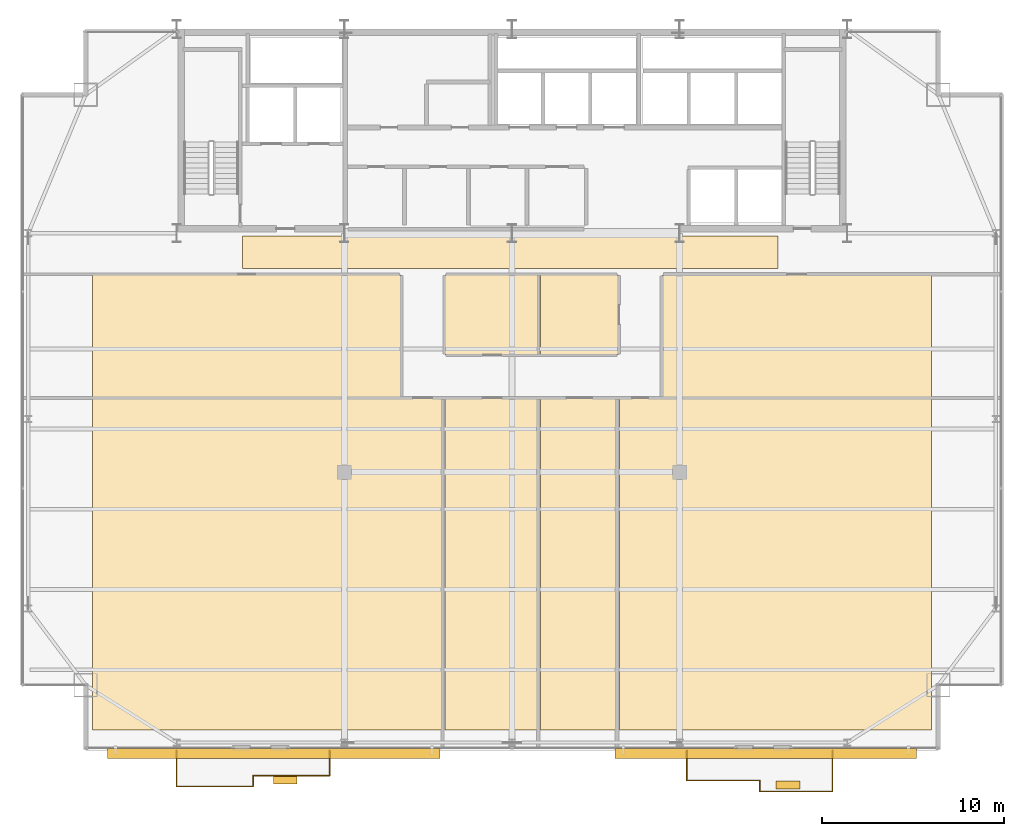
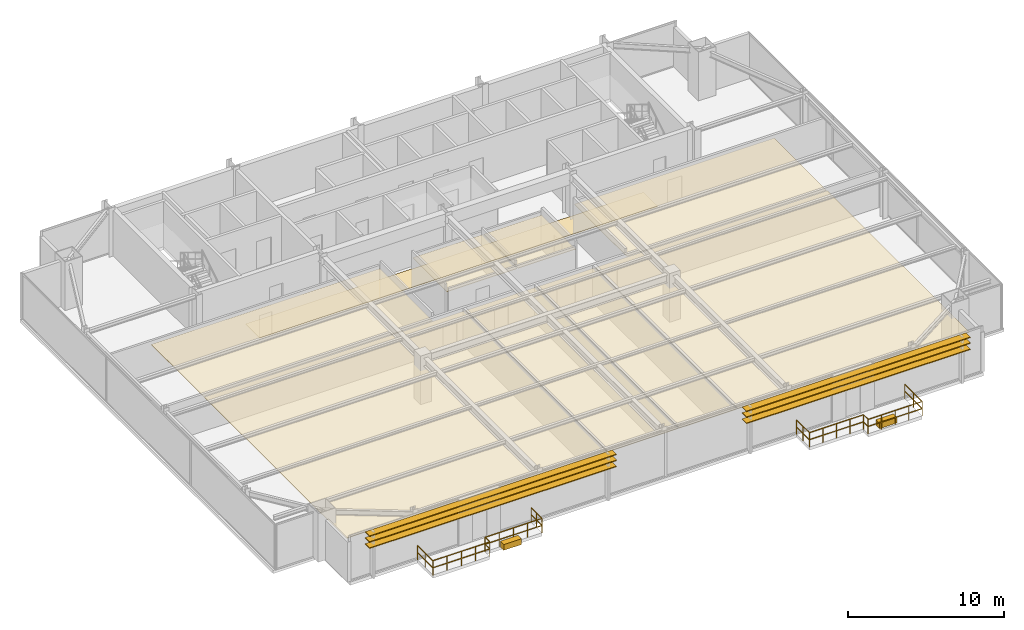
# One storey, part 30 of 31: 11 coverings, 10 railings, 6 shading devices.
"""IFC4 building model written with IfcOpenShell, lengths in metres."""

import ifcopenshell
import ifcopenshell.guid

model = None  # the IFC model being written
_history = None  # IfcOwnerHistory: only IFC2X3 demands one
_inside = {}  # id of a spatial element -> (the spatial element, [elements in it])
_under = {}  # id of a project, library or spatial element -> (it, [spatial elements below it])
_declared = {}  # id of a project -> (the project, [libraries it declares])
_typed = {}  # id of a type object -> (the type object, [elements of that type])
_made_of = {}  # id of a material, layer set ... -> (it, [elements and type objects made of it])


def new_model(schema):
    """Start an empty IFC model of exactly this schema.

    Asked for "IFC4X3", IfcOpenShell would pick the latest addendum, in which some entities
    have other attributes; the version numbers below select the first issue.
    IFC2X3 requires an IfcOwnerHistory on every rooted entity: one is made here for all.
    """
    global model, _history
    if schema == "IFC4X3":
        model = ifcopenshell.file(schema_version=(4, 3, 0, 0))
    else:
        model = ifcopenshell.file(schema=schema)
    _inside.clear()
    _under.clear()
    _declared.clear()
    _typed.clear()
    _made_of.clear()
    _history = None
    if model.schema == "IFC2X3":
        org = make("IfcOrganization", Name="unknown")
        user = make(
            "IfcPersonAndOrganization",
            ThePerson=make("IfcPerson", FamilyName="unknown"),
            TheOrganization=org,
        )
        app = make(
            "IfcApplication",
            ApplicationDeveloper=org,
            Version="unknown",
            ApplicationFullName="unknown",
            ApplicationIdentifier="unknown",
        )
        _history = make(
            "IfcOwnerHistory",
            OwningUser=user,
            OwningApplication=app,
            ChangeAction="ADDED",
            CreationDate=0,
        )
    return model


def make(cls, **values):
    """One entity of the class cls with the attributes given. An attribute that is None is left unset."""
    return model.create_entity(
        cls, **{name: value for name, value in values.items() if value is not None}
    )


def rooted(cls, **values):
    """An entity with a GlobalId (a new one), such as an element, a storey or a relation."""
    return make(cls, GlobalId=ifcopenshell.guid.new(), OwnerHistory=_history, **values)


def si_unit(unit_type, name, prefix=None):
    """IfcSIUnit, for example si_unit("LENGTHUNIT", "METRE", prefix="MILLI")."""
    return make("IfcSIUnit", UnitType=unit_type, Prefix=prefix, Name=name)


def assignment(units):
    """IfcUnitAssignment: the units of a project."""
    return None if units is None else make("IfcUnitAssignment", Units=units)


def point(xyz):
    """IfcCartesianPoint."""
    return None if xyz is None else make("IfcCartesianPoint", Coordinates=xyz)


def direction(xyz):
    """IfcDirection."""
    return None if xyz is None else make("IfcDirection", DirectionRatios=xyz)


def frame(location, z_axis=None, x_axis=None):
    """IfcAxis2Placement3D, a coordinate frame: its origin and axes. An axis left out is left unset."""
    return make(
        "IfcAxis2Placement3D",
        Location=point(location),
        Axis=direction(z_axis),
        RefDirection=direction(x_axis),
    )


def frame_2d(location, x_axis=None):
    """IfcAxis2Placement2D, a coordinate frame in the plane: its origin and x axis."""
    return make(
        "IfcAxis2Placement2D", Location=point(location), RefDirection=direction(x_axis)
    )


def origin():
    """The frame at (0, 0, 0) with its axes left unset."""
    return frame((0.0, 0.0, 0.0))


def origin_2d():
    """The frame at (0, 0) in the plane with its x axis left unset."""
    return frame_2d((0.0, 0.0))


def place(relative_to, where):
    """IfcLocalPlacement: puts the frame where relative to a parent placement (None: the world)."""
    return make(
        "IfcLocalPlacement", PlacementRelTo=relative_to, RelativePlacement=where
    )


def context(
    kind, dimensions, precision=None, world=None, true_north=None, identifier=None
):
    """IfcGeometricRepresentationContext, for example the 3D "Model" context."""
    return make(
        "IfcGeometricRepresentationContext",
        ContextIdentifier=identifier,
        ContextType=kind,
        CoordinateSpaceDimension=dimensions,
        Precision=precision,
        WorldCoordinateSystem=world,
        TrueNorth=true_north,
    )


def subcontext(parent, identifier, kind, view, scale=None):
    """IfcGeometricRepresentationSubContext, for example "Body" below "Model"."""
    return make(
        "IfcGeometricRepresentationSubContext",
        ContextIdentifier=identifier,
        ContextType=kind,
        ParentContext=parent,
        TargetScale=scale,
        TargetView=view,
    )


def project(units=None, contexts=None):
    """IfcProject with its units and contexts."""
    return rooted(
        "IfcProject",
        Name="project",
        RepresentationContexts=contexts,
        UnitsInContext=assignment(units),
    )


def spatial(cls, under=None, at=None, **own):
    """A site, building, storey or space (cls), placed at a placement, below another one or the project."""
    s = rooted(cls, ObjectPlacement=at, **own)
    if under is not None:
        _under.setdefault(under.id(), (under, []))[1].append(s)
    return s


def polyline(points):
    """IfcPolyline through the points."""
    return make("IfcPolyline", Points=[point(p) for p in points])


def profile(cls, at=None, kind="AREA", **sizes):
    """A parametric profile (cls). Its sizes go by their IFC names, for example OverallWidth=200.0."""
    return make(cls, ProfileType=kind, Position=at, **sizes)


def rectangle(**sizes):
    """IfcRectangleProfileDef."""
    return profile("IfcRectangleProfileDef", **sizes)


def outline(outer, holes=None, kind="AREA"):
    """IfcArbitraryClosedProfileDef: a profile drawn as a closed curve; with holes, ...WithVoids."""
    if holes is None:
        return make("IfcArbitraryClosedProfileDef", ProfileType=kind, OuterCurve=outer)
    return make(
        "IfcArbitraryProfileDefWithVoids",
        ProfileType=kind,
        OuterCurve=outer,
        InnerCurves=holes,
    )


def extrude(swept, where, along, depth):
    """IfcExtrudedAreaSolid: the profile swept, set in the frame where, extruded along a direction by depth."""
    return make(
        "IfcExtrudedAreaSolid",
        SweptArea=swept,
        Position=where,
        ExtrudedDirection=direction(along),
        Depth=depth,
    )


def shape(context_of_items, identifier, shape_type, items):
    """IfcShapeRepresentation: the items that make up one representation, for example the "Body"."""
    return make(
        "IfcShapeRepresentation",
        ContextOfItems=context_of_items,
        RepresentationIdentifier=identifier,
        RepresentationType=shape_type,
        Items=items,
    )


def source(mapping_origin, context_of_items, identifier, shape_type, items):
    """IfcRepresentationMap: a shape defined once, which mapped items show again and again."""
    return make(
        "IfcRepresentationMap",
        MappingOrigin=mapping_origin,
        MappedRepresentation=shape(context_of_items, identifier, shape_type, items),
    )


def transform(
    local_origin,
    x_axis=None,
    y_axis=None,
    z_axis=None,
    scale=None,
    scale2=None,
    scale3=None,
    uniform=True,
):
    """IfcCartesianTransformationOperator3D, or its non-uniform kind. x_axis, y_axis, z_axis: its Axis1, 2, 3."""
    if uniform:
        return make(
            "IfcCartesianTransformationOperator3D",
            Axis1=direction(x_axis),
            Axis2=direction(y_axis),
            LocalOrigin=point(local_origin),
            Scale=scale,
            Axis3=direction(z_axis),
        )
    return make(
        "IfcCartesianTransformationOperator3DnonUniform",
        Axis1=direction(x_axis),
        Axis2=direction(y_axis),
        LocalOrigin=point(local_origin),
        Scale=scale,
        Axis3=direction(z_axis),
        Scale2=scale2,
        Scale3=scale3,
    )


def mapped(mapping_source, mapping_target):
    """IfcMappedItem: shows the shape of a source again, moved by a transform."""
    return make(
        "IfcMappedItem", MappingSource=mapping_source, MappingTarget=mapping_target
    )


def material(Name=None, Category=None):
    """IfcMaterial."""
    return make("IfcMaterial", Name=Name, Category=Category)


def layer(
    of_material, thickness, ventilated=None, Name=None, Category=None, Priority=None
):
    """IfcMaterialLayer: one layer of a wall or slab, of a material (None: an air gap)."""
    return make(
        "IfcMaterialLayer",
        Material=of_material,
        LayerThickness=thickness,
        IsVentilated=ventilated,
        Name=Name,
        Category=Category,
        Priority=Priority,
    )


def layer_set(layers, Name=None):
    """IfcMaterialLayerSet."""
    return make("IfcMaterialLayerSet", MaterialLayers=layers, LayerSetName=Name)


def made_of(thing, what):
    """Note that an element or type object is made of a material, layer set ...; save() writes the relation."""
    if what is not None:
        _made_of.setdefault(what.id(), (what, []))[1].append(thing)
    return thing


def type_object(cls, material=None, **own):
    """A type object (cls), such as IfcWallType, which elements share."""
    return made_of(rooted(cls, **own), material)


def type_shapes(of_type, sources):
    """Give a type object the sources (RepresentationMaps) that its elements show as mapped items."""
    of_type.RepresentationMaps = sources


def element(
    cls,
    number,
    at=None,
    inside=None,
    cuts=None,
    type_object=None,
    material=None,
    context=None,
    identifier="Body",
    shape_type=None,
    held_by="IfcProductDefinitionShape",
    body=None,
    shapes=None,
    **own,
):
    """One element of the class cls, such as IfcWall. Its Tag is "e" and its number.

    at: its placement. inside: the storey or other place that contains it. cuts: it is an
    opening in that element (IfcRelVoidsElement). A single representation is given by context,
    identifier, shape_type and body (its items); several are given by shapes. held_by: the class
    of the entity that holds the representations. save() writes the other relations.
    """
    e = rooted(cls, Tag="e%d" % number, ObjectPlacement=at, **own)
    if body is not None:
        shapes = [shape(context, identifier, shape_type, body)]
    if shapes is not None:
        e.Representation = make(held_by, Representations=shapes)
    if inside is not None:
        _inside.setdefault(inside.id(), (inside, []))[1].append(e)
    if cuts is not None:
        rooted(
            "IfcRelVoidsElement", RelatingBuildingElement=cuts, RelatedOpeningElement=e
        )
    if type_object is not None:
        _typed.setdefault(type_object.id(), (type_object, []))[1].append(e)
    return made_of(e, material)


def aggregate(whole, parts):
    """IfcRelAggregates: a whole, such as a stair, and the parts it consists of."""
    return rooted("IfcRelAggregates", RelatingObject=whole, RelatedObjects=parts)


def save(model, path):
    """Write the relations noted so far, then the file.

    IfcRelAggregates (storeys below a building ...), IfcRelContainedInSpatialStructure (elements
    in a storey), IfcRelDefinesByType, IfcRelAssociatesMaterial and IfcRelDeclares: one each for
    every whole, place, type object, material and project.
    """
    for whole, parts in _under.values():
        aggregate(whole, parts)
    for where, things in _inside.values():
        rooted(
            "IfcRelContainedInSpatialStructure",
            RelatedElements=things,
            RelatingStructure=where,
        )
    for kind, things in _typed.values():
        rooted("IfcRelDefinesByType", RelatedObjects=things, RelatingType=kind)
    for what, things in _made_of.values():
        rooted("IfcRelAssociatesMaterial", RelatedObjects=things, RelatingMaterial=what)
    for by, libraries in _declared.values():
        rooted("IfcRelDeclares", RelatingContext=by, RelatedDefinitions=libraries)
    model.write(path)


model = new_model("IFC4")

# Units and contexts
model_context = context("Model", 3, precision=1e-05, world=origin(), true_north=direction((0.0, 1.0)))
body_context = subcontext(model_context, "Body", "Model", "MODEL_VIEW")
ifc_project = project(units=[si_unit("LENGTHUNIT", "METRE"), si_unit("AREAUNIT", "SQUARE_METRE"), si_unit("VOLUMEUNIT", "CUBIC_METRE"), si_unit("PLANEANGLEUNIT", "RADIAN"), si_unit("MASSUNIT", "GRAM", prefix="KILO")], contexts=[model_context])

# Site, building, storey
site_placement = place(None, origin())
site = spatial("IfcSite", under=ifc_project, at=site_placement, CompositionType="ELEMENT")
building_placement = place(site_placement, origin())
building = spatial("IfcBuilding", under=site, at=building_placement, Name="Varnel Quay Broadcast Tower", CompositionType="ELEMENT")
storey_placement = place(building_placement, frame((0.0, 0.0, 157.199951171875)))
storey = spatial("IfcBuildingStorey", under=building, at=storey_placement, Name="L38", CompositionType="ELEMENT", Elevation=157.199951171875)

# Coverings
ifc_material_1 = material(Name="Micro-Perforated Acoustic Ceiling Tile")
ifc_layer_1 = layer(ifc_material_1, 0.0400390625, Name="Micro-Perforated Acoustic Ceiling Tile")
ifc_layer_set_1 = layer_set([ifc_layer_1], Name="Micro-Perforated Acoustic Ceiling Tile")
covering_type_1 = type_object("IfcCoveringType", Name="Cov_AcousticCeiling", PredefinedType="CEILING", material=ifc_layer_set_1)
covering_1_placement = place(storey_placement, frame((0.0, 0.0, 2.580078125)))
element("IfcCovering", 1, at=covering_1_placement, inside=storey, type_object=covering_type_1, Name="L38 Press Briefing Room 1 Acoustic Ceiling", PredefinedType="CEILING", context=body_context, shape_type="SweptSolid", body=[
    extrude(outline(polyline([(10.985107421875, 8.324951171875), (30.2451171875, 8.324951171875), (30.2451171875, 26.52490234375), (10.985107421875, 26.52490234375), (10.985107421875, 8.324951171875)])), origin(), (0.0, 0.0, 1.0), 0.0400390625),
])
covering_2_placement = place(storey_placement, frame((0.0, 0.0, 2.580078125)))
element("IfcCovering", 2, at=covering_2_placement, inside=storey, type_object=covering_type_1, Name="L38 Editorial Huddle Room 2 Acoustic Ceiling", PredefinedType="CEILING", context=body_context, shape_type="SweptSolid", body=[
    extrude(outline(polyline([(30.31494140625, 8.324951171875), (35.5048828125, 8.324951171875), (35.5048828125, 26.52490234375), (30.31494140625, 26.52490234375), (30.31494140625, 8.324951171875)])), origin(), (0.0, 0.0, 1.0), 0.0400390625),
])
covering_3_placement = place(storey_placement, frame((0.0, 0.0, 2.580078125)))
element("IfcCovering", 3, at=covering_3_placement, inside=storey, type_object=covering_type_1, Name="L38 Journalism Training Studio 3 Acoustic Ceiling", PredefinedType="CEILING", context=body_context, shape_type="SweptSolid", body=[
    extrude(outline(polyline([(35.574951171875, 8.324951171875), (39.8349609375, 8.324951171875), (39.8349609375, 26.52490234375), (35.574951171875, 26.52490234375), (35.574951171875, 8.324951171875)])), origin(), (0.0, 0.0, 1.0), 0.0400390625),
])
covering_4_placement = place(storey_placement, frame((0.0, 0.0, 2.580078125)))
element("IfcCovering", 4, at=covering_4_placement, inside=storey, type_object=covering_type_1, Name="L38 Catering Kitchen 4 Acoustic Ceiling", PredefinedType="CEILING", context=body_context, shape_type="SweptSolid", body=[
    extrude(outline(polyline([(39.905029296875, 8.324951171875), (57.014892578125, 8.324951171875), (57.014892578125, 26.52490234375), (39.905029296875, 26.52490234375), (39.905029296875, 8.324951171875)])), origin(), (0.0, 0.0, 1.0), 0.0400390625),
])
covering_5_placement = place(storey_placement, frame((0.0, 0.0, 2.580078125)))
element("IfcCovering", 5, at=covering_5_placement, inside=storey, type_object=covering_type_1, Name="L38 Bureau Office 5 Acoustic Ceiling", PredefinedType="CEILING", context=body_context, shape_type="SweptSolid", body=[
    extrude(outline(polyline([(10.985107421875, 26.594970703125), (27.89501953125, 26.594970703125), (27.89501953125, 33.31494140625), (10.985107421875, 33.31494140625), (10.985107421875, 26.594970703125)])), origin(), (0.0, 0.0, 1.0), 0.0400390625),
])
covering_6_placement = place(storey_placement, frame((0.0, 0.0, 2.580078125)))
element("IfcCovering", 6, at=covering_6_placement, inside=storey, type_object=covering_type_1, Name="L38 Reading Lounge 6 Acoustic Ceiling", PredefinedType="CEILING", context=body_context, shape_type="SweptSolid", body=[
    extrude(outline(polyline([(30.31494140625, 28.945068359375), (35.5048828125, 28.945068359375), (35.5048828125, 33.31494140625), (30.31494140625, 33.31494140625), (30.31494140625, 28.945068359375)])), origin(), (0.0, 0.0, 1.0), 0.0400390625),
])
covering_7_placement = place(storey_placement, frame((0.0, 0.0, 2.580078125)))
element("IfcCovering", 7, at=covering_7_placement, inside=storey, type_object=covering_type_1, Name="L38 Broadcast Seminar Room 7 Acoustic Ceiling", PredefinedType="CEILING", context=body_context, shape_type="SweptSolid", body=[
    extrude(outline(polyline([(35.574951171875, 28.945068359375), (39.8349609375, 28.945068359375), (39.8349609375, 33.31494140625), (35.574951171875, 33.31494140625), (35.574951171875, 28.945068359375)])), origin(), (0.0, 0.0, 1.0), 0.0400390625),
])
covering_8_placement = place(storey_placement, frame((0.0, 0.0, 2.580078125)))
element("IfcCovering", 8, at=covering_8_placement, inside=storey, type_object=covering_type_1, Name="L38 Press Briefing Room 8 Acoustic Ceiling", PredefinedType="CEILING", context=body_context, shape_type="SweptSolid", body=[
    extrude(outline(polyline([(42.2548828125, 26.594970703125), (57.014892578125, 26.594970703125), (57.014892578125, 33.31494140625), (42.2548828125, 33.31494140625), (42.2548828125, 26.594970703125)])), origin(), (0.0, 0.0, 1.0), 0.0400390625),
])
ifc_material_2 = material(Name="Polished Terrazzo & Broadcast Raised Flooring")
ifc_layer_2 = layer(ifc_material_2, 0.0400390625, Name="Polished Terrazzo & Broadcast Raised Flooring")
ifc_layer_set_2 = layer_set([ifc_layer_2], Name="Polished Terrazzo & Broadcast Raised Flooring")
covering_type_2 = type_object("IfcCoveringType", Name="Cov_TerrazzoFloor", PredefinedType="FLOORING", material=ifc_layer_set_2)
covering_9_placement = place(storey_placement, origin())
element("IfcCovering", 9, at=covering_9_placement, inside=storey, type_object=covering_type_2, Name="L38 Corridor Terrazzo Flooring", PredefinedType="FLOORING", context=body_context, shape_type="SweptSolid", body=[
    extrude(outline(polyline([(19.199951171875, 33.64990234375), (48.60009765625, 33.64990234375), (48.60009765625, 35.449951171875), (19.199951171875, 35.449951171875), (19.199951171875, 33.64990234375)])), origin(), (0.0, 0.0, 1.0), 0.0400390625),
])

# Railings
ifc_material_3 = material(Name="Anodised Bronze Aluminium 6063-T6", Category="aluminium")
railing_type = type_object("IfcRailingType", Name="Rail_Balustrade1150", PredefinedType="BALUSTRADE", material=ifc_material_3)
railing_1_placement = place(storey_placement, frame((15.590087890625, 5.236083984375, 0.0)))
element("IfcRailing", 10, at=railing_1_placement, inside=storey, type_object=railing_type, Name="L38 Terrace 1 Guard 1", PredefinedType="BALUSTRADE", context=body_context, shape_type="SweptSolid", body=[
    extrude(rectangle(XDim=0.048095703125, YDim=0.048095703125, at=origin_2d()), frame((0.0, 0.0, 1.1259765625), z_axis=(1.0, 0.0, 0.0), x_axis=(0.0, 1.0, 0.0)), (0.0, 0.0, 1.0), 4.199951171875),
    extrude(rectangle(XDim=0.048095703125, YDim=0.048095703125, at=origin_2d()), frame((0.0, 0.0, 0.574951171875), z_axis=(1.0, 0.0, 0.0), x_axis=(0.0, 1.0, 0.0)), (0.0, 0.0, 1.0), 4.199951171875),
    extrude(rectangle(XDim=0.0419921875, YDim=0.0419921875, at=origin_2d()), origin(), (0.0, 0.0, 1.0), 1.101806640625),
    extrude(rectangle(XDim=0.0419921875, YDim=0.0419921875, at=origin_2d()), frame((1.050048828125, 0.0, 0.0)), (0.0, 0.0, 1.0), 1.101806640625),
    extrude(rectangle(XDim=0.0419921875, YDim=0.0419921875, at=origin_2d()), frame((2.10009765625, 0.0, 0.0)), (0.0, 0.0, 1.0), 1.101806640625),
    extrude(rectangle(XDim=0.0419921875, YDim=0.0419921875, at=origin_2d()), frame((3.14990234375, 0.0, 0.0)), (0.0, 0.0, 1.0), 1.101806640625),
    extrude(rectangle(XDim=0.0419921875, YDim=0.0419921875, at=origin_2d()), frame((4.199951171875, 0.0, 0.0)), (0.0, 0.0, 1.0), 1.101806640625),
])
railing_2_placement = place(storey_placement, frame((19.7900390625, 5.236083984375, 0.0)))
element("IfcRailing", 11, at=railing_2_placement, inside=storey, type_object=railing_type, Name="L38 Terrace 1 Guard 2", PredefinedType="BALUSTRADE", context=body_context, shape_type="SweptSolid", body=[
    extrude(rectangle(XDim=0.048095703125, YDim=0.048095703125, at=origin_2d()), frame((0.0, 0.0, 1.1259765625), z_axis=(0.0, 1.0, 0.0), x_axis=(-1.0, 0.0, 0.0)), (0.0, 0.0, 1.0), 0.599853515625),
    extrude(rectangle(XDim=0.048095703125, YDim=0.048095703125, at=origin_2d()), frame((0.0, 0.0, 0.574951171875), z_axis=(0.0, 1.0, 0.0), x_axis=(-1.0, 0.0, 0.0)), (0.0, 0.0, 1.0), 0.599853515625),
    extrude(rectangle(XDim=0.0419921875, YDim=0.0419921875, at=origin_2d()), origin(), (0.0, 0.0, 1.0), 1.101806640625),
    extrude(rectangle(XDim=0.0419921875, YDim=0.0419921875, at=origin_2d()), frame((0.0, 0.599853515625, 0.0)), (0.0, 0.0, 1.0), 1.101806640625),
])
railing_3_placement = place(storey_placement, frame((19.7900390625, 5.8359375, 0.0)))
element("IfcRailing", 12, at=railing_3_placement, inside=storey, type_object=railing_type, Name="L38 Terrace 1 Guard 3", PredefinedType="BALUSTRADE", context=body_context, shape_type="SweptSolid", body=[
    extrude(rectangle(XDim=0.048095703125, YDim=0.048095703125, at=origin_2d()), frame((0.0, 0.0, 1.1259765625), z_axis=(1.0, 0.0, 0.0), x_axis=(0.0, 1.0, 0.0)), (0.0, 0.0, 1.0), 4.199951171875),
    extrude(rectangle(XDim=0.048095703125, YDim=0.048095703125, at=origin_2d()), frame((0.0, 0.0, 0.574951171875), z_axis=(1.0, 0.0, 0.0), x_axis=(0.0, 1.0, 0.0)), (0.0, 0.0, 1.0), 4.199951171875),
    extrude(rectangle(XDim=0.0419921875, YDim=0.0419921875, at=origin_2d()), origin(), (0.0, 0.0, 1.0), 1.101806640625),
    extrude(rectangle(XDim=0.0419921875, YDim=0.0419921875, at=origin_2d()), frame((1.050048828125, 0.0, 0.0)), (0.0, 0.0, 1.0), 1.101806640625),
    extrude(rectangle(XDim=0.0419921875, YDim=0.0419921875, at=origin_2d()), frame((2.10009765625, 0.0, 0.0)), (0.0, 0.0, 1.0), 1.101806640625),
    extrude(rectangle(XDim=0.0419921875, YDim=0.0419921875, at=origin_2d()), frame((3.14990234375, 0.0, 0.0)), (0.0, 0.0, 1.0), 1.101806640625),
    extrude(rectangle(XDim=0.0419921875, YDim=0.0419921875, at=origin_2d()), frame((4.199951171875, 0.0, 0.0)), (0.0, 0.0, 1.0), 1.101806640625),
])
railing_4_placement = place(storey_placement, frame((23.989990234375, 5.8359375, 0.0)))
element("IfcRailing", 13, at=railing_4_placement, inside=storey, type_object=railing_type, Name="L38 Terrace 1 Guard 4", PredefinedType="BALUSTRADE", context=body_context, shape_type="SweptSolid", body=[
    extrude(rectangle(XDim=0.048095703125, YDim=0.048095703125, at=origin_2d()), frame((0.0, 0.0, 1.1259765625), z_axis=(0.0, 1.0, 0.0), x_axis=(-1.0, 0.0, 0.0)), (0.0, 0.0, 1.0), 1.364013671875),
    extrude(rectangle(XDim=0.048095703125, YDim=0.048095703125, at=origin_2d()), frame((0.0, 0.0, 0.574951171875), z_axis=(0.0, 1.0, 0.0), x_axis=(-1.0, 0.0, 0.0)), (0.0, 0.0, 1.0), 1.364013671875),
    extrude(rectangle(XDim=0.0419921875, YDim=0.0419921875, at=origin_2d()), origin(), (0.0, 0.0, 1.0), 1.101806640625),
    extrude(rectangle(XDim=0.0419921875, YDim=0.0419921875, at=origin_2d()), frame((0.0, 0.68212890625, 0.0)), (0.0, 0.0, 1.0), 1.101806640625),
    extrude(rectangle(XDim=0.0419921875, YDim=0.0419921875, at=origin_2d()), frame((0.0, 1.364013671875, 0.0)), (0.0, 0.0, 1.0), 1.101806640625),
])
railing_5_placement = place(storey_placement, frame((15.590087890625, 7.199951171875, 0.0)))
element("IfcRailing", 14, at=railing_5_placement, inside=storey, type_object=railing_type, Name="L38 Terrace 1 Guard 6", PredefinedType="BALUSTRADE", context=body_context, shape_type="SweptSolid", body=[
    extrude(rectangle(XDim=0.048095703125, YDim=0.048095703125, at=origin_2d()), frame((0.0, 0.0, 1.1259765625), z_axis=(0.0, -1.0, 0.0), x_axis=(1.0, 0.0, 0.0)), (0.0, 0.0, 1.0), 1.9638671875),
    extrude(rectangle(XDim=0.048095703125, YDim=0.048095703125, at=origin_2d()), frame((0.0, 0.0, 0.574951171875), z_axis=(0.0, -1.0, 0.0), x_axis=(1.0, 0.0, 0.0)), (0.0, 0.0, 1.0), 1.9638671875),
    extrude(rectangle(XDim=0.0419921875, YDim=0.0419921875, at=origin_2d()), origin(), (0.0, 0.0, 1.0), 1.101806640625),
    extrude(rectangle(XDim=0.0419921875, YDim=0.0419921875, at=origin_2d()), frame((0.0, -0.98193359375, 0.0)), (0.0, 0.0, 1.0), 1.101806640625),
    extrude(rectangle(XDim=0.0419921875, YDim=0.0419921875, at=origin_2d()), frame((0.0, -1.9638671875, 0.0)), (0.0, 0.0, 1.0), 1.101806640625),
])
railing_6_placement = place(storey_placement, frame((43.60009765625, 5.56396484375, 0.0)))
element("IfcRailing", 15, at=railing_6_placement, inside=storey, type_object=railing_type, Name="L38 Terrace 2 Guard 1", PredefinedType="BALUSTRADE", context=body_context, shape_type="SweptSolid", body=[
    extrude(rectangle(XDim=0.048095703125, YDim=0.048095703125, at=origin_2d()), frame((0.0, 0.0, 1.1259765625), z_axis=(1.0, 0.0, 0.0), x_axis=(0.0, 1.0, 0.0)), (0.0, 0.0, 1.0), 3.994873046875),
    extrude(rectangle(XDim=0.048095703125, YDim=0.048095703125, at=origin_2d()), frame((0.0, 0.0, 0.574951171875), z_axis=(1.0, 0.0, 0.0), x_axis=(0.0, 1.0, 0.0)), (0.0, 0.0, 1.0), 3.994873046875),
    extrude(rectangle(XDim=0.0419921875, YDim=0.0419921875, at=origin_2d()), origin(), (0.0, 0.0, 1.0), 1.101806640625),
    extrude(rectangle(XDim=0.0419921875, YDim=0.0419921875, at=origin_2d()), frame((0.998779296875, 0.0, 0.0)), (0.0, 0.0, 1.0), 1.101806640625),
    extrude(rectangle(XDim=0.0419921875, YDim=0.0419921875, at=origin_2d()), frame((1.99755859375, 0.0, 0.0)), (0.0, 0.0, 1.0), 1.101806640625),
    extrude(rectangle(XDim=0.0419921875, YDim=0.0419921875, at=origin_2d()), frame((2.99609375, 0.0, 0.0)), (0.0, 0.0, 1.0), 1.101806640625),
    extrude(rectangle(XDim=0.0419921875, YDim=0.0419921875, at=origin_2d()), frame((3.994873046875, 0.0, 0.0)), (0.0, 0.0, 1.0), 1.101806640625),
])
railing_7_placement = place(storey_placement, frame((47.594970703125, 5.56396484375, 0.0)))
element("IfcRailing", 16, at=railing_7_placement, inside=storey, type_object=railing_type, Name="L38 Terrace 2 Guard 2", PredefinedType="BALUSTRADE", context=body_context, shape_type="SweptSolid", body=[
    extrude(rectangle(XDim=0.048095703125, YDim=0.048095703125, at=origin_2d()), frame((0.0, 0.0, 1.1259765625), z_axis=(0.0, -1.0, 0.0), x_axis=(1.0, 0.0, 0.0)), (0.0, 0.0, 1.0), 0.599853515625),
    extrude(rectangle(XDim=0.048095703125, YDim=0.048095703125, at=origin_2d()), frame((0.0, 0.0, 0.574951171875), z_axis=(0.0, -1.0, 0.0), x_axis=(1.0, 0.0, 0.0)), (0.0, 0.0, 1.0), 0.599853515625),
    extrude(rectangle(XDim=0.0419921875, YDim=0.0419921875, at=origin_2d()), origin(), (0.0, 0.0, 1.0), 1.101806640625),
    extrude(rectangle(XDim=0.0419921875, YDim=0.0419921875, at=origin_2d()), frame((0.0, -0.599853515625, 0.0)), (0.0, 0.0, 1.0), 1.101806640625),
])
railing_8_placement = place(storey_placement, frame((47.594970703125, 4.964111328125, 0.0)))
element("IfcRailing", 17, at=railing_8_placement, inside=storey, type_object=railing_type, Name="L38 Terrace 2 Guard 3", PredefinedType="BALUSTRADE", context=body_context, shape_type="SweptSolid", body=[
    extrude(rectangle(XDim=0.048095703125, YDim=0.048095703125, at=origin_2d()), frame((0.0, 0.0, 1.1259765625), z_axis=(1.0, 0.0, 0.0), x_axis=(0.0, 1.0, 0.0)), (0.0, 0.0, 1.0), 3.9951171875),
    extrude(rectangle(XDim=0.048095703125, YDim=0.048095703125, at=origin_2d()), frame((0.0, 0.0, 0.574951171875), z_axis=(1.0, 0.0, 0.0), x_axis=(0.0, 1.0, 0.0)), (0.0, 0.0, 1.0), 3.9951171875),
    extrude(rectangle(XDim=0.0419921875, YDim=0.0419921875, at=origin_2d()), origin(), (0.0, 0.0, 1.0), 1.101806640625),
    extrude(rectangle(XDim=0.0419921875, YDim=0.0419921875, at=origin_2d()), frame((0.998779296875, 0.0, 0.0)), (0.0, 0.0, 1.0), 1.101806640625),
    extrude(rectangle(XDim=0.0419921875, YDim=0.0419921875, at=origin_2d()), frame((1.99755859375, 0.0, 0.0)), (0.0, 0.0, 1.0), 1.101806640625),
    extrude(rectangle(XDim=0.0419921875, YDim=0.0419921875, at=origin_2d()), frame((2.996337890625, 0.0, 0.0)), (0.0, 0.0, 1.0), 1.101806640625),
    extrude(rectangle(XDim=0.0419921875, YDim=0.0419921875, at=origin_2d()), frame((3.9951171875, 0.0, 0.0)), (0.0, 0.0, 1.0), 1.101806640625),
])
railing_9_placement = place(storey_placement, frame((51.590087890625, 4.964111328125, 0.0)))
element("IfcRailing", 18, at=railing_9_placement, inside=storey, type_object=railing_type, Name="L38 Terrace 2 Guard 4", PredefinedType="BALUSTRADE", context=body_context, shape_type="SweptSolid", body=[
    extrude(rectangle(XDim=0.048095703125, YDim=0.048095703125, at=origin_2d()), frame((0.0, 0.0, 1.1259765625), z_axis=(0.0, 1.0, 0.0), x_axis=(-1.0, 0.0, 0.0)), (0.0, 0.0, 1.0), 2.23583984375),
    extrude(rectangle(XDim=0.048095703125, YDim=0.048095703125, at=origin_2d()), frame((0.0, 0.0, 0.574951171875), z_axis=(0.0, 1.0, 0.0), x_axis=(-1.0, 0.0, 0.0)), (0.0, 0.0, 1.0), 2.23583984375),
    extrude(rectangle(XDim=0.0419921875, YDim=0.0419921875, at=origin_2d()), origin(), (0.0, 0.0, 1.0), 1.101806640625),
    extrude(rectangle(XDim=0.0419921875, YDim=0.0419921875, at=origin_2d()), frame((0.0, 1.117919921875, 0.0)), (0.0, 0.0, 1.0), 1.101806640625),
    extrude(rectangle(XDim=0.0419921875, YDim=0.0419921875, at=origin_2d()), frame((0.0, 2.23583984375, 0.0)), (0.0, 0.0, 1.0), 1.101806640625),
])
railing_10_placement = place(storey_placement, frame((43.60009765625, 7.199951171875, 0.0)))
element("IfcRailing", 19, at=railing_10_placement, inside=storey, type_object=railing_type, Name="L38 Terrace 2 Guard 6", PredefinedType="BALUSTRADE", context=body_context, shape_type="SweptSolid", body=[
    extrude(rectangle(XDim=0.048095703125, YDim=0.048095703125, at=origin_2d()), frame((0.0, 0.0, 1.1259765625), z_axis=(0.0, -1.0, 0.0), x_axis=(1.0, 0.0, 0.0)), (0.0, 0.0, 1.0), 1.635986328125),
    extrude(rectangle(XDim=0.048095703125, YDim=0.048095703125, at=origin_2d()), frame((0.0, 0.0, 0.574951171875), z_axis=(0.0, -1.0, 0.0), x_axis=(1.0, 0.0, 0.0)), (0.0, 0.0, 1.0), 1.635986328125),
    extrude(rectangle(XDim=0.0419921875, YDim=0.0419921875, at=origin_2d()), origin(), (0.0, 0.0, 1.0), 1.101806640625),
    extrude(rectangle(XDim=0.0419921875, YDim=0.0419921875, at=origin_2d()), frame((0.0, -0.81787109375, 0.0)), (0.0, 0.0, 1.0), 1.101806640625),
    extrude(rectangle(XDim=0.0419921875, YDim=0.0419921875, at=origin_2d()), frame((0.0, -1.635986328125, 0.0)), (0.0, 0.0, 1.0), 1.101806640625),
])

# Coverings
ifc_material_4 = material(Name="Bronze-Terracotta Extruded Ceramic Blade", Category="masonry")
ifc_layer_3 = layer(ifc_material_4, 0.449951171875, Name="Bronze-Terracotta Extruded Ceramic Blade")
ifc_layer_set_3 = layer_set([ifc_layer_3], Name="Bronze-Terracotta Extruded Ceramic Blade")
covering_type_3 = type_object("IfcCoveringType", Name="Cov_BronzePlanter", PredefinedType="CLADDING", material=ifc_layer_set_3)
shared_shape_1 = source(origin(), body_context, "Body", "SweptSolid", [
    extrude(rectangle(XDim=1.300048828125, YDim=0.449951171875, at=origin_2d()), origin(), (0.0, 0.0, 1.0), 0.449951171875),
])
type_shapes(covering_type_3, [shared_shape_1])
for number, where, z_axis, x_axis, name in (
    (20, (21.550048828125, 5.5859375, 0.0), (0.0, 0.0, 1.0), (1.0, 0.0, 0.0), "L38 Terrace 1 Bronze Planter"),
    (21, (49.14990234375, 5.31396484375, 0.0), (0.0, 0.0, 1.0), (1.0, 0.0, 0.0), "L38 Terrace 2 Bronze Planter"),
):
    element("IfcCovering", number, at=place(storey_placement, frame(where, z_axis=z_axis, x_axis=x_axis)), inside=storey, type_object=covering_type_3, Name=name, PredefinedType="CLADDING", context=body_context, shape_type="MappedRepresentation", body=[
        mapped(shared_shape_1, transform((0.0, 0.0, 0.0), x_axis=(1.0, 0.0, 0.0), y_axis=(0.0, 1.0, 0.0), z_axis=(0.0, 0.0, 1.0), scale=1.0)),
    ])

# Shading devices
ifc_layer_4 = layer(ifc_material_4, 0.06494140625, Name="Bronze-Terracotta Extruded Ceramic Blade")
ifc_layer_set_4 = layer_set([ifc_layer_4], Name="Bronze-Terracotta Extruded Ceramic Blade")
shading_device_type = type_object("IfcShadingDeviceType", Name="Shade_LouvreBlade550", PredefinedType="JALOUSIE", material=ifc_layer_set_4)
shared_shape_2 = source(origin(), body_context, "Body", "SweptSolid", [
    extrude(rectangle(XDim=18.256103515625, YDim=0.550048828125, at=origin_2d()), origin(), (0.0, 0.0, 1.0), 0.06494140625),
])
for number, where, z_axis, x_axis, name in (
    (22, (20.927978515625, 7.06005859375, 2.447509765625), (0.0, 0.0, 1.0), (1.0, 0.0, 0.0), "L38 Lobe 1 Horizontal Louvre Blade 1"),
    (23, (20.927978515625, 7.06005859375, 2.927490234375), (0.0, 0.0, 1.0), (1.0, 0.0, 0.0), "L38 Lobe 1 Horizontal Louvre Blade 2"),
    (24, (20.927978515625, 7.06005859375, 3.3876953125), (0.0, 0.0, 1.0), (1.0, 0.0, 0.0), "L38 Lobe 1 Horizontal Louvre Blade 3"),
):
    element("IfcShadingDevice", number, at=place(storey_placement, frame(where, z_axis=z_axis, x_axis=x_axis)), inside=storey, type_object=shading_device_type, Name=name, PredefinedType="JALOUSIE", context=body_context, shape_type="MappedRepresentation", body=[
        mapped(shared_shape_2, transform((0.0, 0.0, 0.0), x_axis=(1.0, 0.0, 0.0), y_axis=(0.0, 1.0, 0.0), z_axis=(0.0, 0.0, 1.0), scale=1.0)),
    ])
shared_shape_3 = source(origin(), body_context, "Body", "SweptSolid", [
    extrude(rectangle(XDim=16.5439453125, YDim=0.550048828125, at=origin_2d()), origin(), (0.0, 0.0, 1.0), 0.06494140625),
])
type_shapes(shading_device_type, [shared_shape_2, shared_shape_3])
for number, where, z_axis, x_axis, name in (
    (25, (47.927978515625, 7.06005859375, 2.447509765625), (0.0, 0.0, 1.0), (1.0, 0.0, 0.0), "L38 Lobe 2 Horizontal Louvre Blade 1"),
    (26, (47.927978515625, 7.06005859375, 2.927490234375), (0.0, 0.0, 1.0), (1.0, 0.0, 0.0), "L38 Lobe 2 Horizontal Louvre Blade 2"),
    (27, (47.927978515625, 7.06005859375, 3.3876953125), (0.0, 0.0, 1.0), (1.0, 0.0, 0.0), "L38 Lobe 2 Horizontal Louvre Blade 3"),
):
    element("IfcShadingDevice", number, at=place(storey_placement, frame(where, z_axis=z_axis, x_axis=x_axis)), inside=storey, type_object=shading_device_type, Name=name, PredefinedType="JALOUSIE", context=body_context, shape_type="MappedRepresentation", body=[
        mapped(shared_shape_3, transform((0.0, 0.0, 0.0), x_axis=(1.0, 0.0, 0.0), y_axis=(0.0, 1.0, 0.0), z_axis=(0.0, 0.0, 1.0), scale=1.0)),
    ])

save(model, "model.ifc")
